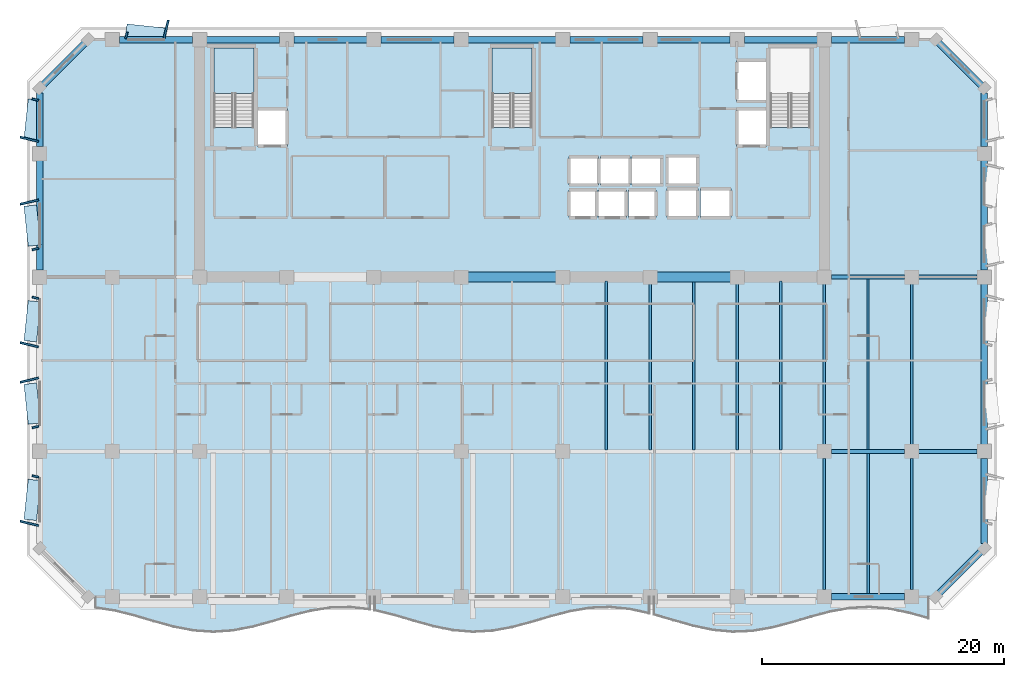
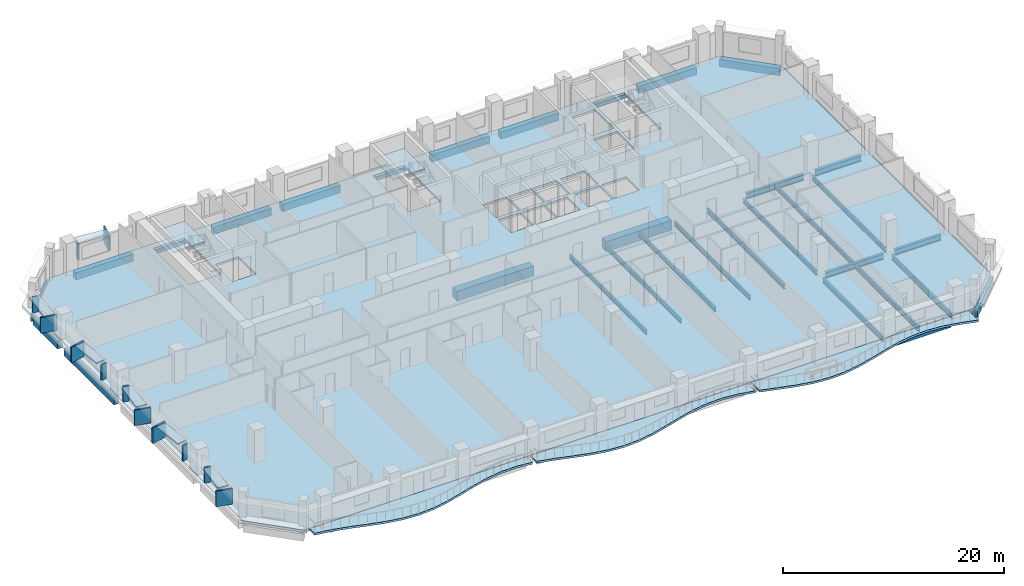
# One storey, part 2 of 15: 36 beams, 18 plates, 6 slabs, 2 elements without a shape of their own.
"""IFC4 building model written with IfcOpenShell, lengths in metres."""

import ifcopenshell
import ifcopenshell.guid

model = None  # the IFC model being written
_history = None  # IfcOwnerHistory: only IFC2X3 demands one
_inside = {}  # id of a spatial element -> (the spatial element, [elements in it])
_under = {}  # id of a project, library or spatial element -> (it, [spatial elements below it])
_declared = {}  # id of a project -> (the project, [libraries it declares])
_typed = {}  # id of a type object -> (the type object, [elements of that type])
_made_of = {}  # id of a material, layer set ... -> (it, [elements and type objects made of it])


def new_model(schema):
    """Start an empty IFC model of exactly this schema.

    Asked for "IFC4X3", IfcOpenShell would pick the latest addendum, in which some entities
    have other attributes; the version numbers below select the first issue.
    IFC2X3 requires an IfcOwnerHistory on every rooted entity: one is made here for all.
    """
    global model, _history
    if schema == "IFC4X3":
        model = ifcopenshell.file(schema_version=(4, 3, 0, 0))
    else:
        model = ifcopenshell.file(schema=schema)
    _inside.clear()
    _under.clear()
    _declared.clear()
    _typed.clear()
    _made_of.clear()
    _history = None
    if model.schema == "IFC2X3":
        org = make("IfcOrganization", Name="unknown")
        user = make(
            "IfcPersonAndOrganization",
            ThePerson=make("IfcPerson", FamilyName="unknown"),
            TheOrganization=org,
        )
        app = make(
            "IfcApplication",
            ApplicationDeveloper=org,
            Version="unknown",
            ApplicationFullName="unknown",
            ApplicationIdentifier="unknown",
        )
        _history = make(
            "IfcOwnerHistory",
            OwningUser=user,
            OwningApplication=app,
            ChangeAction="ADDED",
            CreationDate=0,
        )
    return model


def make(cls, **values):
    """One entity of the class cls with the attributes given. An attribute that is None is left unset."""
    return model.create_entity(
        cls, **{name: value for name, value in values.items() if value is not None}
    )


def rooted(cls, **values):
    """An entity with a GlobalId (a new one), such as an element, a storey or a relation."""
    return make(cls, GlobalId=ifcopenshell.guid.new(), OwnerHistory=_history, **values)


def si_unit(unit_type, name, prefix=None):
    """IfcSIUnit, for example si_unit("LENGTHUNIT", "METRE", prefix="MILLI")."""
    return make("IfcSIUnit", UnitType=unit_type, Prefix=prefix, Name=name)


def assignment(units):
    """IfcUnitAssignment: the units of a project."""
    return None if units is None else make("IfcUnitAssignment", Units=units)


def point(xyz):
    """IfcCartesianPoint."""
    return None if xyz is None else make("IfcCartesianPoint", Coordinates=xyz)


def direction(xyz):
    """IfcDirection."""
    return None if xyz is None else make("IfcDirection", DirectionRatios=xyz)


def frame(location, z_axis=None, x_axis=None):
    """IfcAxis2Placement3D, a coordinate frame: its origin and axes. An axis left out is left unset."""
    return make(
        "IfcAxis2Placement3D",
        Location=point(location),
        Axis=direction(z_axis),
        RefDirection=direction(x_axis),
    )


def frame_2d(location, x_axis=None):
    """IfcAxis2Placement2D, a coordinate frame in the plane: its origin and x axis."""
    return make(
        "IfcAxis2Placement2D", Location=point(location), RefDirection=direction(x_axis)
    )


def origin():
    """The frame at (0, 0, 0) with its axes left unset."""
    return frame((0.0, 0.0, 0.0))


def origin_2d():
    """The frame at (0, 0) in the plane with its x axis left unset."""
    return frame_2d((0.0, 0.0))


def place(relative_to, where):
    """IfcLocalPlacement: puts the frame where relative to a parent placement (None: the world)."""
    return make(
        "IfcLocalPlacement", PlacementRelTo=relative_to, RelativePlacement=where
    )


def context(
    kind, dimensions, precision=None, world=None, true_north=None, identifier=None
):
    """IfcGeometricRepresentationContext, for example the 3D "Model" context."""
    return make(
        "IfcGeometricRepresentationContext",
        ContextIdentifier=identifier,
        ContextType=kind,
        CoordinateSpaceDimension=dimensions,
        Precision=precision,
        WorldCoordinateSystem=world,
        TrueNorth=true_north,
    )


def subcontext(parent, identifier, kind, view, scale=None):
    """IfcGeometricRepresentationSubContext, for example "Body" below "Model"."""
    return make(
        "IfcGeometricRepresentationSubContext",
        ContextIdentifier=identifier,
        ContextType=kind,
        ParentContext=parent,
        TargetScale=scale,
        TargetView=view,
    )


def project(units=None, contexts=None):
    """IfcProject with its units and contexts."""
    return rooted(
        "IfcProject",
        Name="project",
        RepresentationContexts=contexts,
        UnitsInContext=assignment(units),
    )


def spatial(cls, under=None, at=None, **own):
    """A site, building, storey or space (cls), placed at a placement, below another one or the project."""
    s = rooted(cls, ObjectPlacement=at, **own)
    if under is not None:
        _under.setdefault(under.id(), (under, []))[1].append(s)
    return s


def polyline(points):
    """IfcPolyline through the points."""
    return make("IfcPolyline", Points=[point(p) for p in points])


def profile(cls, at=None, kind="AREA", **sizes):
    """A parametric profile (cls). Its sizes go by their IFC names, for example OverallWidth=200.0."""
    return make(cls, ProfileType=kind, Position=at, **sizes)


def rectangle(**sizes):
    """IfcRectangleProfileDef."""
    return profile("IfcRectangleProfileDef", **sizes)


def i_section(**sizes):
    """IfcIShapeProfileDef."""
    return profile("IfcIShapeProfileDef", **sizes)


def outline(outer, holes=None, kind="AREA"):
    """IfcArbitraryClosedProfileDef: a profile drawn as a closed curve; with holes, ...WithVoids."""
    if holes is None:
        return make("IfcArbitraryClosedProfileDef", ProfileType=kind, OuterCurve=outer)
    return make(
        "IfcArbitraryProfileDefWithVoids",
        ProfileType=kind,
        OuterCurve=outer,
        InnerCurves=holes,
    )


def extrude(swept, where, along, depth):
    """IfcExtrudedAreaSolid: the profile swept, set in the frame where, extruded along a direction by depth."""
    return make(
        "IfcExtrudedAreaSolid",
        SweptArea=swept,
        Position=where,
        ExtrudedDirection=direction(along),
        Depth=depth,
    )


def shape(context_of_items, identifier, shape_type, items):
    """IfcShapeRepresentation: the items that make up one representation, for example the "Body"."""
    return make(
        "IfcShapeRepresentation",
        ContextOfItems=context_of_items,
        RepresentationIdentifier=identifier,
        RepresentationType=shape_type,
        Items=items,
    )


def material(Name=None, Category=None):
    """IfcMaterial."""
    return make("IfcMaterial", Name=Name, Category=Category)


def layer(
    of_material, thickness, ventilated=None, Name=None, Category=None, Priority=None
):
    """IfcMaterialLayer: one layer of a wall or slab, of a material (None: an air gap)."""
    return make(
        "IfcMaterialLayer",
        Material=of_material,
        LayerThickness=thickness,
        IsVentilated=ventilated,
        Name=Name,
        Category=Category,
        Priority=Priority,
    )


def layer_set(layers, Name=None):
    """IfcMaterialLayerSet."""
    return make("IfcMaterialLayerSet", MaterialLayers=layers, LayerSetName=Name)


def material_profile(
    of_material, cross_section, Name=None, Category=None, Priority=None
):
    """IfcMaterialProfile: a cross section and its material."""
    return make(
        "IfcMaterialProfile",
        Name=Name,
        Material=of_material,
        Profile=cross_section,
        Priority=Priority,
        Category=Category,
    )


def profile_set(profiles, Name=None, composite=None):
    """IfcMaterialProfileSet."""
    return make(
        "IfcMaterialProfileSet",
        Name=Name,
        MaterialProfiles=profiles,
        CompositeProfile=composite,
    )


def made_of(thing, what):
    """Note that an element or type object is made of a material, layer set ...; save() writes the relation."""
    if what is not None:
        _made_of.setdefault(what.id(), (what, []))[1].append(thing)
    return thing


def type_object(cls, material=None, **own):
    """A type object (cls), such as IfcWallType, which elements share."""
    return made_of(rooted(cls, **own), material)


def element(
    cls,
    number,
    at=None,
    inside=None,
    cuts=None,
    type_object=None,
    material=None,
    context=None,
    identifier="Body",
    shape_type=None,
    held_by="IfcProductDefinitionShape",
    body=None,
    shapes=None,
    **own,
):
    """One element of the class cls, such as IfcWall. Its Tag is "e" and its number.

    at: its placement. inside: the storey or other place that contains it. cuts: it is an
    opening in that element (IfcRelVoidsElement). A single representation is given by context,
    identifier, shape_type and body (its items); several are given by shapes. held_by: the class
    of the entity that holds the representations. save() writes the other relations.
    """
    e = rooted(cls, Tag="e%d" % number, ObjectPlacement=at, **own)
    if body is not None:
        shapes = [shape(context, identifier, shape_type, body)]
    if shapes is not None:
        e.Representation = make(held_by, Representations=shapes)
    if inside is not None:
        _inside.setdefault(inside.id(), (inside, []))[1].append(e)
    if cuts is not None:
        rooted(
            "IfcRelVoidsElement", RelatingBuildingElement=cuts, RelatedOpeningElement=e
        )
    if type_object is not None:
        _typed.setdefault(type_object.id(), (type_object, []))[1].append(e)
    return made_of(e, material)


def aggregate(whole, parts):
    """IfcRelAggregates: a whole, such as a stair, and the parts it consists of."""
    return rooted("IfcRelAggregates", RelatingObject=whole, RelatedObjects=parts)


def save(model, path):
    """Write the relations noted so far, then the file.

    IfcRelAggregates (storeys below a building ...), IfcRelContainedInSpatialStructure (elements
    in a storey), IfcRelDefinesByType, IfcRelAssociatesMaterial and IfcRelDeclares: one each for
    every whole, place, type object, material and project.
    """
    for whole, parts in _under.values():
        aggregate(whole, parts)
    for where, things in _inside.values():
        rooted(
            "IfcRelContainedInSpatialStructure",
            RelatedElements=things,
            RelatingStructure=where,
        )
    for kind, things in _typed.values():
        rooted("IfcRelDefinesByType", RelatedObjects=things, RelatingType=kind)
    for what, things in _made_of.values():
        rooted("IfcRelAssociatesMaterial", RelatedObjects=things, RelatingMaterial=what)
    for by, libraries in _declared.values():
        rooted("IfcRelDeclares", RelatingContext=by, RelatedDefinitions=libraries)
    model.write(path)


model = new_model("IFC4")

# Units and contexts
model_context = context("Model", 3, precision=1e-05, world=origin(), true_north=direction((0.0, 1.0)))
body_context = subcontext(model_context, "Body", "Model", "MODEL_VIEW")
ifc_project = project(units=[si_unit("LENGTHUNIT", "METRE"), si_unit("AREAUNIT", "SQUARE_METRE"), si_unit("VOLUMEUNIT", "CUBIC_METRE"), si_unit("PLANEANGLEUNIT", "RADIAN"), si_unit("MASSUNIT", "GRAM", prefix="KILO")], contexts=[model_context])

# Site, building, storey
site_placement = place(None, origin())
site = spatial("IfcSite", under=ifc_project, at=site_placement, CompositionType="ELEMENT")
building_placement = place(site_placement, origin())
building = spatial("IfcBuilding", under=site, at=building_placement, Name="Kaelvorn Grand Hotel", CompositionType="ELEMENT")
storey_placement = place(building_placement, frame((0.0, 0.0, 177.14990234375)))
storey = spatial("IfcBuildingStorey", under=building, at=storey_placement, Name="L43", CompositionType="ELEMENT", Elevation=177.14990234375)

# Beams
ifc_material_1 = material(Name="Steel S355", Category="steel")
ifc_material_profile_1 = material_profile(ifc_material_1, i_section(OverallWidth=0.300048828125, OverallDepth=0.64990234375, WebThickness=0.01611328125, FlangeThickness=0.031005859375, FilletRadius=0.027099609375, at=origin_2d()), Name="HEB 650")
ifc_profile_set_1 = profile_set([ifc_material_profile_1], Name="Steel S355")
beam_type_1 = type_object("IfcBeamType", Name="BM-G-HEB650-S355", PredefinedType="BEAM", material=ifc_profile_set_1)
beam_1_placement = place(storey_placement, frame((68.385009765625, 15.0, -0.56494140625), z_axis=(1.0, 0.0, 0.0), x_axis=(0.0, 1.0, 0.0)))
element("IfcBeam", 1, at=beam_1_placement, inside=storey, type_object=beam_type_1, Name="L43 Primary Spine Steel Girder G-15 06", PredefinedType="BEAM", context=body_context, shape_type="SweptSolid", body=[
    extrude(i_section(OverallWidth=0.300048828125, OverallDepth=0.64990234375, WebThickness=0.01611328125, FlangeThickness=0.031005859375, FilletRadius=0.027099609375, at=origin_2d()), origin(), (0.0, 0.0, 1.0), 6.030029296875),
])
beam_2_placement = place(storey_placement, frame((75.5849609375, 15.0, -0.56494140625), z_axis=(1.0, 0.0, 0.0), x_axis=(0.0, 1.0, 0.0)))
element("IfcBeam", 2, at=beam_2_placement, inside=storey, type_object=beam_type_1, Name="L43 Primary Spine Steel Girder G-15 07", PredefinedType="BEAM", context=body_context, shape_type="SweptSolid", body=[
    extrude(i_section(OverallWidth=0.300048828125, OverallDepth=0.64990234375, WebThickness=0.01611328125, FlangeThickness=0.031005859375, FilletRadius=0.027099609375, at=origin_2d()), origin(), (0.0, 0.0, 1.0), 4.830078125),
])
beam_3_placement = place(storey_placement, frame((68.385009765625, 29.39990234375, -0.56494140625), z_axis=(1.0, 0.0, 0.0), x_axis=(0.0, 1.0, 0.0)))
element("IfcBeam", 3, at=beam_3_placement, inside=storey, type_object=beam_type_1, Name="L43 East Core Wing Steel Girder G-29E 01", PredefinedType="BEAM", context=body_context, shape_type="SweptSolid", body=[
    extrude(i_section(OverallWidth=0.300048828125, OverallDepth=0.64990234375, WebThickness=0.01611328125, FlangeThickness=0.031005859375, FilletRadius=0.027099609375, at=origin_2d()), origin(), (0.0, 0.0, 1.0), 6.030029296875),
])
beam_4_placement = place(storey_placement, frame((75.5849609375, 29.39990234375, -0.56494140625), z_axis=(1.0, 0.0, 0.0), x_axis=(0.0, 1.0, 0.0)))
element("IfcBeam", 4, at=beam_4_placement, inside=storey, type_object=beam_type_1, Name="L43 East Core Wing Steel Girder G-29E 02", PredefinedType="BEAM", context=body_context, shape_type="SweptSolid", body=[
    extrude(i_section(OverallWidth=0.300048828125, OverallDepth=0.64990234375, WebThickness=0.01611328125, FlangeThickness=0.031005859375, FilletRadius=0.027099609375, at=origin_2d()), origin(), (0.0, 0.0, 1.0), 4.830078125),
])
ifc_material_profile_2 = material_profile(ifc_material_1, i_section(OverallWidth=0.199951171875, OverallDepth=0.5, WebThickness=0.01025390625, FlangeThickness=0.01611328125, FilletRadius=0.02099609375, at=origin_2d()), Name="IPE 500")
ifc_profile_set_2 = profile_set([ifc_material_profile_2], Name="Steel S355")
beam_type_2 = type_object("IfcBeamType", Name="BM-J-IPE500-S355", PredefinedType="JOIST", material=ifc_profile_set_2)
beam_5_placement = place(storey_placement, frame((49.800048828125, 15.135009765625, -0.489990234375), z_axis=(0.0, 1.0, 0.0), x_axis=(-1.0, 0.0, 0.0)))
element("IfcBeam", 5, at=beam_5_placement, inside=storey, type_object=beam_type_2, Name="L43 Composite Floor Joist JM-14", PredefinedType="JOIST", context=body_context, shape_type="SweptSolid", body=[
    extrude(i_section(OverallWidth=0.199951171875, OverallDepth=0.5, WebThickness=0.01025390625, FlangeThickness=0.01611328125, FilletRadius=0.02099609375, at=origin_2d()), origin(), (0.0, 0.0, 1.0), 13.925048828125),
])
beam_6_placement = place(storey_placement, frame((53.39990234375, 15.135009765625, -0.489990234375), z_axis=(0.0, 1.0, 0.0), x_axis=(-1.0, 0.0, 0.0)))
element("IfcBeam", 6, at=beam_6_placement, inside=storey, type_object=beam_type_2, Name="L43 Composite Floor Joist JM-15", PredefinedType="JOIST", context=body_context, shape_type="SweptSolid", body=[
    extrude(i_section(OverallWidth=0.199951171875, OverallDepth=0.5, WebThickness=0.01025390625, FlangeThickness=0.01611328125, FilletRadius=0.02099609375, at=origin_2d()), origin(), (0.0, 0.0, 1.0), 13.679931640625),
])
beam_7_placement = place(storey_placement, frame((57.0, 15.135009765625, -0.489990234375), z_axis=(0.0, 1.0, 0.0), x_axis=(-1.0, 0.0, 0.0)))
element("IfcBeam", 7, at=beam_7_placement, inside=storey, type_object=beam_type_2, Name="L43 Composite Floor Joist JM-16", PredefinedType="JOIST", context=body_context, shape_type="SweptSolid", body=[
    extrude(i_section(OverallWidth=0.199951171875, OverallDepth=0.5, WebThickness=0.01025390625, FlangeThickness=0.01611328125, FilletRadius=0.02099609375, at=origin_2d()), origin(), (0.0, 0.0, 1.0), 13.925048828125),
])
beam_8_placement = place(storey_placement, frame((60.60009765625, 15.135009765625, -0.489990234375), z_axis=(0.0, 1.0, 0.0), x_axis=(-1.0, 0.0, 0.0)))
element("IfcBeam", 8, at=beam_8_placement, inside=storey, type_object=beam_type_2, Name="L43 Composite Floor Joist JM-17", PredefinedType="JOIST", context=body_context, shape_type="SweptSolid", body=[
    extrude(i_section(OverallWidth=0.199951171875, OverallDepth=0.5, WebThickness=0.01025390625, FlangeThickness=0.01611328125, FilletRadius=0.02099609375, at=origin_2d()), origin(), (0.0, 0.0, 1.0), 13.679931640625),
])
beam_9_placement = place(storey_placement, frame((64.199951171875, 15.135009765625, -0.489990234375), z_axis=(0.0, 1.0, 0.0), x_axis=(-1.0, 0.0, 0.0)))
element("IfcBeam", 9, at=beam_9_placement, inside=storey, type_object=beam_type_2, Name="L43 Composite Floor Joist JM-18", PredefinedType="JOIST", context=body_context, shape_type="SweptSolid", body=[
    extrude(i_section(OverallWidth=0.199951171875, OverallDepth=0.5, WebThickness=0.01025390625, FlangeThickness=0.01611328125, FilletRadius=0.02099609375, at=origin_2d()), origin(), (0.0, 0.0, 1.0), 13.925048828125),
])
beam_10_placement = place(storey_placement, frame((67.800048828125, 15.5849609375, -0.489990234375), z_axis=(0.0, 1.0, 0.0), x_axis=(-1.0, 0.0, 0.0)))
element("IfcBeam", 10, at=beam_10_placement, inside=storey, type_object=beam_type_2, Name="L43 Composite Floor Joist JM-19", PredefinedType="JOIST", context=body_context, shape_type="SweptSolid", body=[
    extrude(i_section(OverallWidth=0.199951171875, OverallDepth=0.5, WebThickness=0.01025390625, FlangeThickness=0.01611328125, FilletRadius=0.02099609375, at=origin_2d()), origin(), (0.0, 0.0, 1.0), 13.22998046875),
])
beam_11_placement = place(storey_placement, frame((71.39990234375, 15.135009765625, -0.489990234375), z_axis=(0.0, 1.0, 0.0), x_axis=(-1.0, 0.0, 0.0)))
element("IfcBeam", 11, at=beam_11_placement, inside=storey, type_object=beam_type_2, Name="L43 Composite Floor Joist JM-20", PredefinedType="JOIST", context=body_context, shape_type="SweptSolid", body=[
    extrude(i_section(OverallWidth=0.199951171875, OverallDepth=0.5, WebThickness=0.01025390625, FlangeThickness=0.01611328125, FilletRadius=0.02099609375, at=origin_2d()), origin(), (0.0, 0.0, 1.0), 14.1298828125),
])
beam_12_placement = place(storey_placement, frame((75.0, 15.5849609375, -0.489990234375), z_axis=(0.0, 1.0, 0.0), x_axis=(-1.0, 0.0, 0.0)))
element("IfcBeam", 12, at=beam_12_placement, inside=storey, type_object=beam_type_2, Name="L43 Composite Floor Joist JM-21", PredefinedType="JOIST", context=body_context, shape_type="SweptSolid", body=[
    extrude(i_section(OverallWidth=0.199951171875, OverallDepth=0.5, WebThickness=0.01025390625, FlangeThickness=0.01611328125, FilletRadius=0.02099609375, at=origin_2d()), origin(), (0.0, 0.0, 1.0), 13.22998046875),
])
ifc_material_profile_3 = material_profile(ifc_material_1, i_section(OverallWidth=0.2099609375, OverallDepth=0.550048828125, WebThickness=0.010986328125, FlangeThickness=0.01708984375, FilletRadius=0.02392578125, at=origin_2d()), Name="IPE 550")
ifc_profile_set_3 = profile_set([ifc_material_profile_3], Name="Steel S355")
beam_type_3 = type_object("IfcBeamType", Name="BM-J-IPE550-S355", PredefinedType="JOIST", material=ifc_profile_set_3)
beam_13_placement = place(storey_placement, frame((67.800048828125, 3.5849609375, -0.514892578125), z_axis=(0.0, 1.0, 0.0), x_axis=(-1.0, 0.0, 0.0)))
element("IfcBeam", 13, at=beam_13_placement, inside=storey, type_object=beam_type_3, Name="L43 Composite Floor Joist JS-19", PredefinedType="JOIST", context=body_context, shape_type="SweptSolid", body=[
    extrude(i_section(OverallWidth=0.2099609375, OverallDepth=0.550048828125, WebThickness=0.010986328125, FlangeThickness=0.01708984375, FilletRadius=0.02392578125, at=origin_2d()), origin(), (0.0, 0.0, 1.0), 10.830078125),
])
beam_14_placement = place(storey_placement, frame((71.39990234375, 3.260009765625, -0.514892578125), z_axis=(0.0, 1.0, 0.0), x_axis=(-1.0, 0.0, 0.0)))
element("IfcBeam", 14, at=beam_14_placement, inside=storey, type_object=beam_type_3, Name="L43 Composite Floor Joist JS-20", PredefinedType="JOIST", context=body_context, shape_type="SweptSolid", body=[
    extrude(i_section(OverallWidth=0.2099609375, OverallDepth=0.550048828125, WebThickness=0.010986328125, FlangeThickness=0.01708984375, FilletRadius=0.02392578125, at=origin_2d()), origin(), (0.0, 0.0, 1.0), 11.60498046875),
])
beam_15_placement = place(storey_placement, frame((75.0, 3.5849609375, -0.514892578125), z_axis=(0.0, 1.0, 0.0), x_axis=(-1.0, 0.0, 0.0)))
element("IfcBeam", 15, at=beam_15_placement, inside=storey, type_object=beam_type_3, Name="L43 Composite Floor Joist JS-21", PredefinedType="JOIST", context=body_context, shape_type="SweptSolid", body=[
    extrude(i_section(OverallWidth=0.2099609375, OverallDepth=0.550048828125, WebThickness=0.010986328125, FlangeThickness=0.01708984375, FilletRadius=0.02392578125, at=origin_2d()), origin(), (0.0, 0.0, 1.0), 10.830078125),
])
ifc_material_2 = material(Name="Concrete C60/75", Category="concrete")
ifc_material_profile_4 = material_profile(ifc_material_2, rectangle(XDim=0.800048828125, YDim=1.10009765625, at=origin_2d()), Name="RC LINTEL 800x1100")
ifc_profile_set_4 = profile_set([ifc_material_profile_4], Name="Concrete C60/75")
beam_type_4 = type_object("IfcBeamType", Name="BM-LIN-800x1100-C60", PredefinedType="LINTEL", material=ifc_profile_set_4)
beam_16_placement = place(storey_placement, frame((37.97998046875, 29.39990234375, -0.789794921875), z_axis=(1.0, 0.0, 0.0), x_axis=(0.0, 1.0, 0.0)))
element("IfcBeam", 16, at=beam_16_placement, inside=storey, type_object=beam_type_4, Name="L43 Rear-Core Coupling Lintel Beam CB1-02", PredefinedType="LINTEL", context=body_context, shape_type="SweptSolid", body=[
    extrude(rectangle(XDim=0.800048828125, YDim=1.10009765625, at=origin_2d()), origin(), (0.0, 0.0, 1.0), 8.0400390625),
])
beam_17_placement = place(storey_placement, frame((53.580078125, 29.39990234375, -0.789794921875), z_axis=(1.0, 0.0, 0.0), x_axis=(0.0, 1.0, 0.0)))
element("IfcBeam", 17, at=beam_17_placement, inside=storey, type_object=beam_type_4, Name="L43 Rear-Core Coupling Lintel Beam CB1-03", PredefinedType="LINTEL", context=body_context, shape_type="SweptSolid", body=[
    extrude(rectangle(XDim=0.800048828125, YDim=1.10009765625, at=origin_2d()), origin(), (0.0, 0.0, 1.0), 6.83984375),
])
ifc_material_3 = material(Name="Concrete C50/60", Category="concrete")
ifc_material_profile_5 = material_profile(ifc_material_3, rectangle(XDim=0.550048828125, YDim=0.800048828125, at=origin_2d()), Name="RC SPANDREL 550x800")
ifc_profile_set_5 = profile_set([ifc_material_profile_5], Name="Concrete C50/60")
beam_type_5 = type_object("IfcBeamType", Name="BM-SP-550x800-C50", PredefinedType="SPANDREL", material=ifc_profile_set_5)
for number, where, z_axis, x_axis, name in (
    (18, (68.385009765625, 3.0, -0.639892578125), (1.0, 0.0, 0.0), (0.0, 1.0, 0.0), "L43 South Perimeter Spandrel 10"),
    (19, (9.5849609375, 49.0, -0.639892578125), (1.0, 0.0, 0.0), (0.0, 1.0, 0.0), "L43 North Perimeter Spandrel 02"),
    (20, (16.784912109375, 49.0, -0.639892578125), (1.0, 0.0, 0.0), (0.0, 1.0, 0.0), "L43 North Perimeter Spandrel 03"),
):
    element("IfcBeam", number, at=place(storey_placement, frame(where, z_axis=z_axis, x_axis=x_axis)), inside=storey, type_object=beam_type_5, Name=name, PredefinedType="SPANDREL", context=body_context, shape_type="SweptSolid", body=[
        extrude(rectangle(XDim=0.550048828125, YDim=0.800048828125, at=origin_2d()), origin(), (0.0, 0.0, 1.0), 6.030029296875),
    ])
beam_18_placement = place(storey_placement, frame((23.985107421875, 49.0, -0.639892578125), z_axis=(1.0, 0.0, 0.0), x_axis=(0.0, 1.0, 0.0)))
element("IfcBeam", 21, at=beam_18_placement, inside=storey, type_object=beam_type_5, Name="L43 North Perimeter Spandrel 04", PredefinedType="SPANDREL", context=body_context, shape_type="SweptSolid", body=[
    extrude(rectangle(XDim=0.550048828125, YDim=0.800048828125, at=origin_2d()), origin(), (0.0, 0.0, 1.0), 6.02978515625),
])
beam_19_placement = place(storey_placement, frame((31.18505859375, 49.0, -0.639892578125), z_axis=(1.0, 0.0, 0.0), x_axis=(0.0, 1.0, 0.0)))
element("IfcBeam", 22, at=beam_19_placement, inside=storey, type_object=beam_type_5, Name="L43 North Perimeter Spandrel 05", PredefinedType="SPANDREL", context=body_context, shape_type="SweptSolid", body=[
    extrude(rectangle(XDim=0.550048828125, YDim=0.800048828125, at=origin_2d()), origin(), (0.0, 0.0, 1.0), 6.030029296875),
])
beam_20_placement = place(storey_placement, frame((38.385009765625, 49.0, -0.639892578125), z_axis=(1.0, 0.0, 0.0), x_axis=(0.0, 1.0, 0.0)))
element("IfcBeam", 23, at=beam_20_placement, inside=storey, type_object=beam_type_5, Name="L43 North Perimeter Spandrel 06", PredefinedType="SPANDREL", context=body_context, shape_type="SweptSolid", body=[
    extrude(rectangle(XDim=0.550048828125, YDim=0.800048828125, at=origin_2d()), origin(), (0.0, 0.0, 1.0), 7.22998046875),
])
beam_21_placement = place(storey_placement, frame((46.784912109375, 49.0, -0.639892578125), z_axis=(1.0, 0.0, 0.0), x_axis=(0.0, 1.0, 0.0)))
element("IfcBeam", 24, at=beam_21_placement, inside=storey, type_object=beam_type_5, Name="L43 North Perimeter Spandrel 07", PredefinedType="SPANDREL", context=body_context, shape_type="SweptSolid", body=[
    extrude(rectangle(XDim=0.550048828125, YDim=0.800048828125, at=origin_2d()), origin(), (0.0, 0.0, 1.0), 6.030029296875),
])
beam_22_placement = place(storey_placement, frame((53.985107421875, 49.0, -0.639892578125), z_axis=(1.0, 0.0, 0.0), x_axis=(0.0, 1.0, 0.0)))
element("IfcBeam", 25, at=beam_22_placement, inside=storey, type_object=beam_type_5, Name="L43 North Perimeter Spandrel 08", PredefinedType="SPANDREL", context=body_context, shape_type="SweptSolid", body=[
    extrude(rectangle(XDim=0.550048828125, YDim=0.800048828125, at=origin_2d()), origin(), (0.0, 0.0, 1.0), 6.02978515625),
])
for number, where, z_axis, x_axis, name in (
    (26, (61.18505859375, 49.0, -0.639892578125), (1.0, 0.0, 0.0), (0.0, 1.0, 0.0), "L43 North Perimeter Spandrel 09"),
    (27, (68.385009765625, 49.0, -0.639892578125), (1.0, 0.0, 0.0), (0.0, 1.0, 0.0), "L43 North Perimeter Spandrel 10"),
):
    element("IfcBeam", number, at=place(storey_placement, frame(where, z_axis=z_axis, x_axis=x_axis)), inside=storey, type_object=beam_type_5, Name=name, PredefinedType="SPANDREL", context=body_context, shape_type="SweptSolid", body=[
        extrude(rectangle(XDim=0.550048828125, YDim=0.800048828125, at=origin_2d()), origin(), (0.0, 0.0, 1.0), 6.030029296875),
    ])
beam_23_placement = place(storey_placement, frame((3.0, 29.985107421875, -0.639892578125), z_axis=(0.0, 1.0, 0.0), x_axis=(-1.0, 0.0, 0.0)))
element("IfcBeam", 28, at=beam_23_placement, inside=storey, type_object=beam_type_5, Name="L43 West Perimeter Spandrel 03", PredefinedType="SPANDREL", context=body_context, shape_type="SweptSolid", body=[
    extrude(rectangle(XDim=0.550048828125, YDim=0.800048828125, at=origin_2d()), origin(), (0.0, 0.0, 1.0), 9.02978515625),
])
beam_24_placement = place(storey_placement, frame((3.0, 40.18505859375, -0.639892578125), z_axis=(0.0, 1.0, 0.0), x_axis=(-1.0, 0.0, 0.0)))
element("IfcBeam", 29, at=beam_24_placement, inside=storey, type_object=beam_type_5, Name="L43 West Perimeter Spandrel 04", PredefinedType="SPANDREL", context=body_context, shape_type="SweptSolid", body=[
    extrude(rectangle(XDim=0.550048828125, YDim=0.800048828125, at=origin_2d()), origin(), (0.0, 0.0, 1.0), 4.409912109375),
])
beam_25_placement = place(storey_placement, frame((81.0, 7.405029296875, -0.639892578125), z_axis=(0.0, 1.0, 0.0), x_axis=(-1.0, 0.0, 0.0)))
element("IfcBeam", 30, at=beam_25_placement, inside=storey, type_object=beam_type_5, Name="L43 East Perimeter Spandrel 01", PredefinedType="SPANDREL", context=body_context, shape_type="SweptSolid", body=[
    extrude(rectangle(XDim=0.550048828125, YDim=0.800048828125, at=origin_2d()), origin(), (0.0, 0.0, 1.0), 7.010009765625),
])
beam_26_placement = place(storey_placement, frame((81.0, 15.5849609375, -0.639892578125), z_axis=(0.0, 1.0, 0.0), x_axis=(-1.0, 0.0, 0.0)))
element("IfcBeam", 31, at=beam_26_placement, inside=storey, type_object=beam_type_5, Name="L43 East Perimeter Spandrel 02", PredefinedType="SPANDREL", context=body_context, shape_type="SweptSolid", body=[
    extrude(rectangle(XDim=0.550048828125, YDim=0.800048828125, at=origin_2d()), origin(), (0.0, 0.0, 1.0), 13.22998046875),
])
beam_27_placement = place(storey_placement, frame((81.0, 29.985107421875, -0.639892578125), z_axis=(0.0, 1.0, 0.0), x_axis=(-1.0, 0.0, 0.0)))
element("IfcBeam", 32, at=beam_27_placement, inside=storey, type_object=beam_type_5, Name="L43 East Perimeter Spandrel 03", PredefinedType="SPANDREL", context=body_context, shape_type="SweptSolid", body=[
    extrude(rectangle(XDim=0.550048828125, YDim=0.800048828125, at=origin_2d()), origin(), (0.0, 0.0, 1.0), 9.02978515625),
])
beam_28_placement = place(storey_placement, frame((81.0, 40.18505859375, -0.639892578125), z_axis=(0.0, 1.0, 0.0), x_axis=(-1.0, 0.0, 0.0)))
element("IfcBeam", 33, at=beam_28_placement, inside=storey, type_object=beam_type_5, Name="L43 East Perimeter Spandrel 04", PredefinedType="SPANDREL", context=body_context, shape_type="SweptSolid", body=[
    extrude(rectangle(XDim=0.550048828125, YDim=0.800048828125, at=origin_2d()), origin(), (0.0, 0.0, 1.0), 4.409912109375),
])
for number, where, z_axis, x_axis, name in (
    (34, (77.0, 3.0, -0.639892578125), (0.707106781187, 0.707106781187, 0.0), (-0.707106781187, 0.707106781187, 0.0), "L43 Chamfer Spandrel Beam 1"),
    (35, (81.0, 45.0, -0.639892578125), (-0.707106781187, 0.707106781187, 0.0), (-0.707106781187, -0.707106781187, 0.0), "L43 Chamfer Spandrel Beam 2"),
    (36, (7.0, 49.0, -0.639892578125), (-0.707106781187, -0.707106781187, 0.0), (0.707106781187, -0.707106781187, 0.0), "L43 Chamfer Spandrel Beam 3"),
):
    element("IfcBeam", number, at=place(storey_placement, frame(where, z_axis=z_axis, x_axis=x_axis)), inside=storey, type_object=beam_type_5, Name=name, PredefinedType="SPANDREL", context=body_context, shape_type="SweptSolid", body=[
        extrude(rectangle(XDim=0.550048828125, YDim=0.800048828125, at=origin_2d()), origin(), (0.0, 0.0, 1.0), 5.65673828125),
    ])

# Plates
ifc_material_4 = material(Name="Precast concrete C45/55", Category="concrete")
ifc_layer_1 = layer(ifc_material_4, 0.159912109375)
ifc_layer_set_1 = layer_set([ifc_layer_1], Name="Precast concrete C45/55")
plate_type_1 = type_object("IfcPlateType", Name="PL-FRAME-DEEP-1550", PredefinedType="USERDEFINED", material=ifc_layer_set_1)
for number, where, z_axis, x_axis, name in (
    (37, (2.14501953125, 9.06005859375, 0.81494140625), (0.0, 0.0, 1.0), (0.233445363856, 0.972369920398, 0.0), "L43 Tilted Precast Window Frame Fin L-W01"),
    (38, (2.14501953125, 20.889892578125, 0.81494140625), (0.0, 0.0, 1.0), (-0.233445363856, 0.972369920398, 0.0), "L43 Tilted Precast Window Frame Fin R-W02"),
    (39, (2.14501953125, 23.81005859375, 0.81494140625), (0.0, 0.0, 1.0), (0.233445363856, 0.972369920398, 0.0), "L43 Tilted Precast Window Frame Fin L-W03"),
    (40, (2.14501953125, 35.590087890625, 0.81494140625), (0.0, 0.0, 1.0), (-0.233445363856, 0.972369920398, 0.0), "L43 Tilted Precast Window Frame Fin R-W04"),
    (41, (2.14501953125, 40.77490234375, 0.740234375), (0.0, 0.0, 1.0), (0.233445363856, 0.972369920398, 0.0), "L43 Tilted Precast Window Frame Fin L-W05"),
    (42, (13.43994140625, 49.85498046875, 0.740234375), (0.0, 0.0, 1.0), (0.972369920398, -0.233445363856, 0.0), "L43 Tilted Precast Window Frame Fin R-N01"),
):
    element("IfcPlate", number, at=place(storey_placement, frame(where, z_axis=z_axis, x_axis=x_axis)), inside=storey, type_object=plate_type_1, Name=name, ObjectType="FLANGE_PLATE", PredefinedType="USERDEFINED", context=body_context, shape_type="SweptSolid", body=[
        extrude(rectangle(XDim=0.159912109375, YDim=1.550048828125, at=origin_2d()), origin(), (0.0, 0.0, 1.0), 1.719970703125),
    ])
ifc_layer_2 = layer(ifc_material_4, 0.159912109375)
ifc_layer_set_2 = layer_set([ifc_layer_2], Name="Precast concrete C45/55")
plate_type_2 = type_object("IfcPlateType", Name="PL-FRAME-HEAD-1050", PredefinedType="USERDEFINED", material=ifc_layer_set_2)
for number, where, z_axis, x_axis, name in (
    (43, (2.39501953125, 11.0, 2.5), (0.0, 0.0, 1.0), (0.105830199459, 0.994384215926, 0.0), "L43 Precast Window Frame Head Hood H-W01"),
    (44, (2.39501953125, 18.949951171875, 2.5), (0.0, 0.0, 1.0), (-0.105830199459, 0.994384215926, 0.0), "L43 Precast Window Frame Head Hood H-W02"),
    (45, (2.39501953125, 25.75, 2.5), (0.0, 0.0, 1.0), (0.105830199459, 0.994384215926, 0.0), "L43 Precast Window Frame Head Hood H-W03"),
    (46, (2.39501953125, 33.64990234375, 2.5), (0.0, 0.0, 1.0), (-0.105830199459, 0.994384215926, 0.0), "L43 Precast Window Frame Head Hood H-W04"),
    (47, (2.39501953125, 42.4150390625, 2.35009765625), (0.0, 0.0, 1.0), (0.105830199459, 0.994384215926, 0.0), "L43 Precast Window Frame Head Hood H-W05"),
    (48, (11.800048828125, 49.60498046875, 2.35009765625), (0.0, 0.0, 1.0), (0.994384215926, -0.105830199459, 0.0), "L43 Precast Window Frame Head Hood H-N01"),
):
    element("IfcPlate", number, at=place(storey_placement, frame(where, z_axis=z_axis, x_axis=x_axis)), inside=storey, type_object=plate_type_2, Name=name, ObjectType="FLANGE_PLATE", PredefinedType="USERDEFINED", context=body_context, shape_type="SweptSolid", body=[
        extrude(rectangle(XDim=3.320068359375, YDim=1.050048828125, at=origin_2d()), origin(), (0.0, 0.0, 1.0), 0.159912109375),
    ])
ifc_layer_3 = layer(ifc_material_4, 0.159912109375)
ifc_layer_set_3 = layer_set([ifc_layer_3], Name="Precast concrete C45/55")
plate_type_3 = type_object("IfcPlateType", Name="PL-FRAME-SHAL-550", PredefinedType="USERDEFINED", material=ifc_layer_set_3)
for number, where, z_axis, x_axis, name in (
    (49, (2.64501953125, 12.93994140625, 0.81494140625), (0.0, 0.0, 1.0), (0.233445363856, 0.972369920398, 0.0), "L43 Tilted Precast Window Frame Fin R-W01"),
    (50, (2.64501953125, 17.010009765625, 0.81494140625), (0.0, 0.0, 1.0), (-0.233445363856, 0.972369920398, 0.0), "L43 Tilted Precast Window Frame Fin L-W02"),
    (51, (2.64501953125, 27.68994140625, 0.81494140625), (0.0, 0.0, 1.0), (0.233445363856, 0.972369920398, 0.0), "L43 Tilted Precast Window Frame Fin R-W03"),
    (52, (2.64501953125, 31.7099609375, 0.81494140625), (0.0, 0.0, 1.0), (-0.233445363856, 0.972369920398, 0.0), "L43 Tilted Precast Window Frame Fin L-W04"),
    (53, (2.64501953125, 44.054931640625, 0.740234375), (0.0, 0.0, 1.0), (0.233445363856, 0.972369920398, 0.0), "L43 Tilted Precast Window Frame Fin R-W05"),
    (54, (10.159912109375, 49.35498046875, 0.740234375), (0.0, 0.0, 1.0), (0.972369920398, -0.233445363856, 0.0), "L43 Tilted Precast Window Frame Fin L-N01"),
):
    element("IfcPlate", number, at=place(storey_placement, frame(where, z_axis=z_axis, x_axis=x_axis)), inside=storey, type_object=plate_type_3, Name=name, ObjectType="FLANGE_PLATE", PredefinedType="USERDEFINED", context=body_context, shape_type="SweptSolid", body=[
        extrude(rectangle(XDim=0.159912109375, YDim=0.550048828125, at=origin_2d()), origin(), (0.0, 0.0, 1.0), 1.719970703125),
    ])

# Slabs
ifc_material_5 = material(Name="Concrete C40/50", Category="concrete")
ifc_layer_4 = layer(ifc_material_5, 0.219970703125)
ifc_layer_set_4 = layer_set([ifc_layer_4], Name="Concrete C40/50")
slab_type_1 = type_object("IfcSlabType", Name="SLB-BALC-220-C40", PredefinedType="FLOOR", material=ifc_layer_set_4)
slab_1_placement = place(storey_placement, frame((0.0, 0.0, -0.219970703125)))
element("IfcSlab", 55, at=slab_1_placement, inside=storey, type_object=slab_type_1, Name="L43 Scalloped Wave Balcony Slab 1", PredefinedType="FLOOR", context=body_context, shape_type="SweptSolid", body=[
    extrude(outline(polyline([(7.60009765625, 2.099853515625), (9.218994140625, 1.85009765625), (10.838134765625, 1.4423828125), (12.45703125, 0.965576171875), (14.076171875, 0.5234375), (15.6953125, 0.21240234375), (17.314208984375, 0.10009765625), (18.933349609375, 0.2109375), (20.552490234375, 0.520751953125), (22.17138671875, 0.962158203125), (23.79052734375, 1.43896484375), (25.409423828125, 1.84765625), (27.028564453125, 2.098876953125), (28.647705078125, 2.137939453125), (30.2666015625, 1.95654296875), (30.2666015625, 3.0), (7.60009765625, 3.0), (7.60009765625, 2.099853515625)])), origin(), (0.0, 0.0, 1.0), 0.219970703125),
])
slab_2_placement = place(storey_placement, frame((0.0, 0.0, -0.219970703125)))
element("IfcSlab", 56, at=slab_2_placement, inside=storey, type_object=slab_type_1, Name="L43 Scalloped Wave Balcony Slab 2", PredefinedType="FLOOR", context=body_context, shape_type="SweptSolid", body=[
    extrude(outline(polyline([(30.666748046875, 1.88134765625), (32.28564453125, 1.485107421875), (33.90478515625, 1.010498046875), (35.52392578125, 0.560791015625), (37.142822265625, 0.23388671875), (38.761962890625, 0.10107421875), (40.380859375, 0.191162109375), (42.0, 0.484619140625), (43.619140625, 0.91748046875), (45.238037109375, 1.3955078125), (46.857177734375, 1.814697265625), (48.47607421875, 2.083740234375), (50.09521484375, 2.143798828125), (51.71435546875, 1.982421875), (53.333251953125, 1.634033203125), (53.333251953125, 3.0), (30.666748046875, 3.0), (30.666748046875, 1.88134765625)])), origin(), (0.0, 0.0, 1.0), 0.219970703125),
])
slab_3_placement = place(storey_placement, frame((0.0, 0.0, -0.219970703125)))
element("IfcSlab", 57, at=slab_3_placement, inside=storey, type_object=slab_type_1, Name="L43 Scalloped Wave Balcony Slab 3", PredefinedType="FLOOR", context=body_context, shape_type="SweptSolid", body=[
    extrude(outline(polyline([(53.7333984375, 1.52734375), (55.352294921875, 1.0556640625), (56.971435546875, 0.599365234375), (58.590576171875, 0.25732421875), (60.20947265625, 0.104248046875), (61.82861328125, 0.17333984375), (63.447509765625, 0.44970703125), (65.066650390625, 0.873291015625), (66.685791015625, 1.351318359375), (68.3046875, 1.7802734375), (69.923828125, 2.066650390625), (71.54296875, 2.14794921875), (73.161865234375, 2.00634765625), (74.781005859375, 1.673095703125), (76.39990234375, 1.22021484375), (76.39990234375, 3.0), (53.7333984375, 3.0), (53.7333984375, 1.52734375)])), origin(), (0.0, 0.0, 1.0), 0.219970703125),
])
ifc_layer_5 = layer(ifc_material_5, 0.239990234375)
ifc_layer_set_5 = layer_set([ifc_layer_5], Name="Concrete C40/50")
slab_type_2 = type_object("IfcSlabType", Name="SLB-FLR-240-C40", PredefinedType="FLOOR", material=ifc_layer_set_5)
slab_4_placement = place(storey_placement, frame((0.0, 0.0, -0.239990234375)))
element("IfcSlab", 58, at=slab_4_placement, inside=storey, type_object=slab_type_2, Name="L43 Indoor Suspended Floor Slab", PredefinedType="FLOOR", context=body_context, shape_type="SweptSolid", body=[
    extrude(outline(polyline([(7.0, 3.0), (77.0, 3.0), (81.0, 7.0), (81.0, 45.0), (77.0, 49.0), (7.0, 49.0), (3.0, 45.0), (3.0, 7.0), (7.0, 3.0)]), holes=[polyline([(17.39990234375, 41.760009765625), (17.39990234375, 48.300048828125), (20.679931640625, 48.300048828125), (20.679931640625, 41.760009765625), (17.39990234375, 41.760009765625)]), polyline([(40.360107421875, 41.760009765625), (40.360107421875, 48.300048828125), (43.639892578125, 48.300048828125), (43.639892578125, 41.760009765625), (40.360107421875, 41.760009765625)]), polyline([(63.320068359375, 41.760009765625), (63.320068359375, 48.300048828125), (66.60009765625, 48.300048828125), (66.60009765625, 41.760009765625), (63.320068359375, 41.760009765625)]), polyline([(46.699951171875, 34.300048828125), (46.699951171875, 36.60009765625), (49.0, 36.60009765625), (49.0, 34.300048828125), (46.699951171875, 34.300048828125)]), polyline([(49.14990234375, 34.300048828125), (49.14990234375, 36.60009765625), (51.449951171875, 36.60009765625), (51.449951171875, 34.300048828125), (49.14990234375, 34.300048828125)]), polyline([(51.60009765625, 34.300048828125), (51.60009765625, 36.60009765625), (53.89990234375, 36.60009765625), (53.89990234375, 34.300048828125), (51.60009765625, 34.300048828125)]), polyline([(46.699951171875, 37.0), (46.699951171875, 39.35009765625), (49.14990234375, 39.35009765625), (49.14990234375, 37.0), (46.699951171875, 37.0)]), polyline([(49.300048828125, 37.0), (49.300048828125, 39.35009765625), (51.75, 39.35009765625), (51.75, 37.0), (49.300048828125, 37.0)]), polyline([(51.89990234375, 37.0), (51.89990234375, 39.35009765625), (54.35009765625, 39.35009765625), (54.35009765625, 37.0), (51.89990234375, 37.0)]), polyline([(54.800048828125, 34.300048828125), (54.800048828125, 36.699951171875), (57.35009765625, 36.699951171875), (57.35009765625, 34.300048828125), (54.800048828125, 34.300048828125)]), polyline([(57.550048828125, 34.300048828125), (57.550048828125, 36.699951171875), (60.10009765625, 36.699951171875), (60.10009765625, 34.300048828125), (57.550048828125, 34.300048828125)]), polyline([(54.800048828125, 37.0), (54.800048828125, 39.39990234375), (57.35009765625, 39.39990234375), (57.35009765625, 37.0), (54.800048828125, 37.0)]), polyline([(21.0, 40.199951171875), (21.0, 43.300048828125), (23.449951171875, 43.300048828125), (23.449951171875, 40.199951171875), (21.0, 40.199951171875)]), polyline([(60.550048828125, 40.199951171875), (60.550048828125, 43.300048828125), (63.0, 43.300048828125), (63.0, 40.199951171875), (60.550048828125, 40.199951171875)]), polyline([(60.550048828125, 43.89990234375), (60.550048828125, 47.300048828125), (63.0, 47.300048828125), (63.0, 43.89990234375), (60.550048828125, 43.89990234375)])]), origin(), (0.0, 0.0, 1.0), 0.239990234375),
])

# Stair, slab
stair_type = type_object("IfcStairType", Name="STR-DOG-1560-R08", PredefinedType="HALF_TURN_STAIR", material=ifc_material_5)
stair_1_placement = place(storey_placement, origin())
stair_1 = element("IfcStair", 59, at=stair_1_placement, inside=storey, type_object=stair_type, Name="L43 West Core Exit Stair ST1", PredefinedType="HALF_TURN_STAIR")
ifc_layer_6 = layer(ifc_material_5, 0.199951171875)
ifc_layer_set_6 = layer_set([ifc_layer_6], Name="Concrete C40/50")
slab_type_3 = type_object("IfcSlabType", Name="SLB-LAND-200-C40", PredefinedType="LANDING", material=ifc_layer_set_6)
slab_5_placement = place(storey_placement, frame((0.0, 0.0, 1.7001953125)))
slab_5 = element("IfcSlab", 60, at=slab_5_placement, type_object=slab_type_3, Name="ST1 landing 1", PredefinedType="LANDING", context=body_context, shape_type="SweptSolid", body=[
    extrude(outline(polyline([(20.679931640625, 44.56005859375), (20.679931640625, 48.300048828125), (17.39990234375, 48.300048828125), (17.39990234375, 44.56005859375), (20.679931640625, 44.56005859375)])), origin(), (0.0, 0.0, 1.0), 0.199951171875),
])
aggregate(stair_1, [slab_5])

stair_2_placement = place(storey_placement, origin())
stair_2 = element("IfcStair", 61, at=stair_2_placement, inside=storey, type_object=stair_type, Name="L43 Central Core Exit Stair ST2", PredefinedType="HALF_TURN_STAIR")
slab_6_placement = place(storey_placement, frame((0.0, 0.0, 1.7001953125)))
slab_6 = element("IfcSlab", 62, at=slab_6_placement, type_object=slab_type_3, Name="ST2 landing 1", PredefinedType="LANDING", context=body_context, shape_type="SweptSolid", body=[
    extrude(outline(polyline([(43.639892578125, 44.56005859375), (43.639892578125, 48.300048828125), (40.360107421875, 48.300048828125), (40.360107421875, 44.56005859375), (43.639892578125, 44.56005859375)])), origin(), (0.0, 0.0, 1.0), 0.199951171875),
])
aggregate(stair_2, [slab_6])

save(model, "model.ifc")
